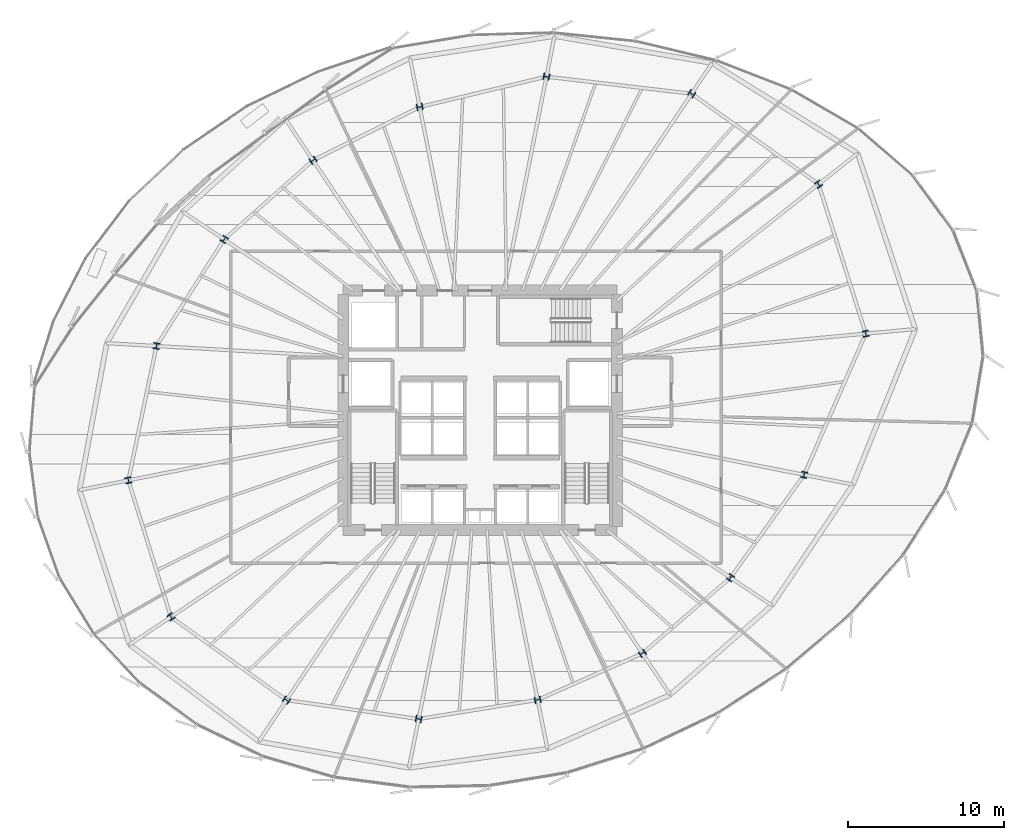
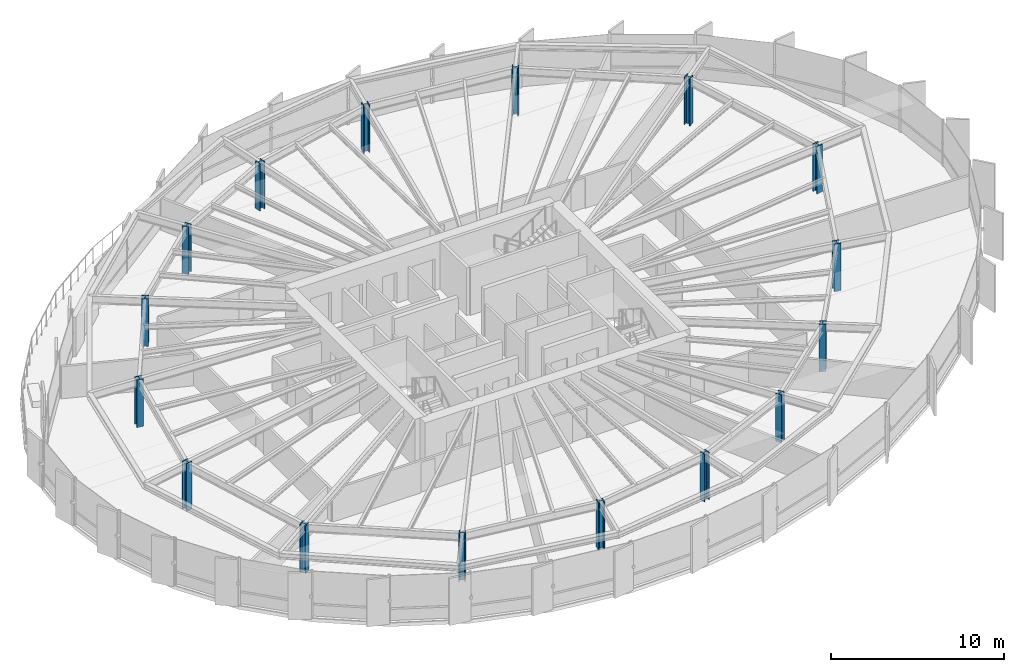
# One storey, part 1 of 35: 16 columns.
"""IFC4 building model written with IfcOpenShell, lengths in metres."""

from ifc_helpers import new_model, si_unit, direction, frame, origin, origin_2d, place, context, subcontext, project, spatial, i_section, extrude, source, transform, mapped, material, material_profile, profile_set, type_object, element, save


model = new_model("IFC4")

# Units and contexts
model_context = context("Model", 3, precision=1e-05, world=origin(), true_north=direction((0.0, 1.0)))
body_context = subcontext(model_context, "Body", "Model", "MODEL_VIEW")
ifc_project = project(units=[si_unit("LENGTHUNIT", "METRE"), si_unit("AREAUNIT", "SQUARE_METRE"), si_unit("VOLUMEUNIT", "CUBIC_METRE"), si_unit("PLANEANGLEUNIT", "RADIAN"), si_unit("MASSUNIT", "GRAM", prefix="KILO"), si_unit("THERMODYNAMICTEMPERATUREUNIT", "KELVIN")], contexts=[model_context])

# Site, building, storey
site_placement = place(None, origin())
site = spatial("IfcSite", under=ifc_project, at=site_placement, CompositionType="ELEMENT")
building_placement = place(site_placement, origin())
building = spatial("IfcBuilding", under=site, at=building_placement, Name="Kethvar Cultural Tower", CompositionType="ELEMENT")
storey_placement = place(building_placement, frame((0.0, 0.0, 89.199951171875)))
storey = spatial("IfcBuildingStorey", under=building, at=storey_placement, Name="L21", CompositionType="ELEMENT", Elevation=89.199951171875)

# Columns
ifc_material = material(Name="Steel S460M", Category="steel")
ifc_material_profile = material_profile(ifc_material, i_section(OverallWidth=0.405029296875, OverallDepth=0.39794921875, WebThickness=0.034912109375, FlangeThickness=0.055908203125, FilletRadius=0.014892578125, at=origin_2d()), Name="Steel S460M — HD400x744")
ifc_profile_set = profile_set([ifc_material_profile], Name="Steel S460M — HD400x744")
column_type = type_object("IfcColumnType", Name="COL-HD744", PredefinedType="COLUMN", material=ifc_profile_set)
shared_shape = source(origin(), body_context, "Body", "SweptSolid", [
    extrude(i_section(OverallWidth=0.405029296875, OverallDepth=0.39794921875, WebThickness=0.034912109375, FlangeThickness=0.055908203125, FilletRadius=0.014892578125, at=origin_2d()), origin(), (0.0, 0.0, 1.0), 3.35009765625),
])
for number, where, z_axis, x_axis, name in (
    (1, (71.6025390625, 32.7333984375, 0.0), (0.0, 0.0, 1.0), (0.980785280403, 0.195090322016, 0.0), "L21 Mega-Column MC-01"),
    (2, (68.568603515625, 42.34521484375, 0.0), (0.0, 0.0, 1.0), (0.831469612303, 0.55557023302, 0.0), "L21 Mega-Column MC-02"),
    (3, (60.40478515625, 48.160888671875, 0.0), (0.0, 0.0, 1.0), (0.55557023302, 0.831469612303, 0.0), "L21 Mega-Column MC-03"),
    (4, (51.068603515625, 49.25927734375, 0.0), (0.0, 0.0, 1.0), (0.195090322016, 0.980785280403, 0.0), "L21 Mega-Column MC-04"),
    (5, (42.9189453125, 47.311279296875, 0.0), (0.0, 0.0, 1.0), (-0.195090322016, 0.980785280403, 0.0), "L21 Mega-Column MC-05"),
    (6, (36.0576171875, 43.877197265625, 0.0), (0.0, 0.0, 1.0), (-0.55557023302, 0.831469612303, 0.0), "L21 Mega-Column MC-06"),
    (7, (30.345947265625, 38.794189453125, 0.0), (0.0, 0.0, 1.0), (-0.831469612303, 0.55557023302, 0.0), "L21 Mega-Column MC-07"),
    (8, (25.988525390625, 31.939697265625, 0.0), (0.0, 0.0, 1.0), (-0.980785280403, 0.195090322016, 0.0), "L21 Mega-Column MC-08"),
    (9, (24.185302734375, 23.3017578125, 0.0), (0.0, 0.0, 1.0), (-0.980785280403, -0.195090322016, 0.0), "L21 Mega-Column MC-09"),
    (10, (26.920654296875, 14.51708984375, 0.0), (0.0, 0.0, 1.0), (-0.831469612303, -0.55557023302, 0.0), "L21 Mega-Column MC-10"),
    (11, (34.350830078125, 9.16845703125, 0.0), (0.0, 0.0, 1.0), (-0.55557023302, -0.831469612303, 0.0), "L21 Mega-Column MC-11"),
    (12, (42.852294921875, 7.95361328125, 0.0), (0.0, 0.0, 1.0), (-0.195090322016, -0.980785280403, 0.0), "L21 Mega-Column MC-12"),
    (13, (50.50341796875, 9.182373046875, 0.0), (0.0, 0.0, 1.0), (0.195090322016, -0.980785280403, 0.0), "L21 Mega-Column MC-13"),
    (14, (57.241943359375, 12.17236328125, 0.0), (0.0, 0.0, 1.0), (0.55557023302, -0.831469612303, 0.0), "L21 Mega-Column MC-14"),
    (15, (62.898681640625, 17.043212890625, 0.0), (0.0, 0.0, 1.0), (0.831469612303, -0.55557023302, 0.0), "L21 Mega-Column MC-15"),
    (16, (67.638671875, 23.65478515625, 0.0), (0.0, 0.0, 1.0), (0.980785280403, -0.195090322016, 0.0), "L21 Mega-Column MC-16"),
):
    element("IfcColumn", number, at=place(storey_placement, frame(where, z_axis=z_axis, x_axis=x_axis)), inside=storey, type_object=column_type, Name=name, PredefinedType="COLUMN", context=body_context, shape_type="MappedRepresentation", body=[
        mapped(shared_shape, transform((0.0, 0.0, 0.0), scale=1.0)),
    ])

save(model, "model.ifc")
